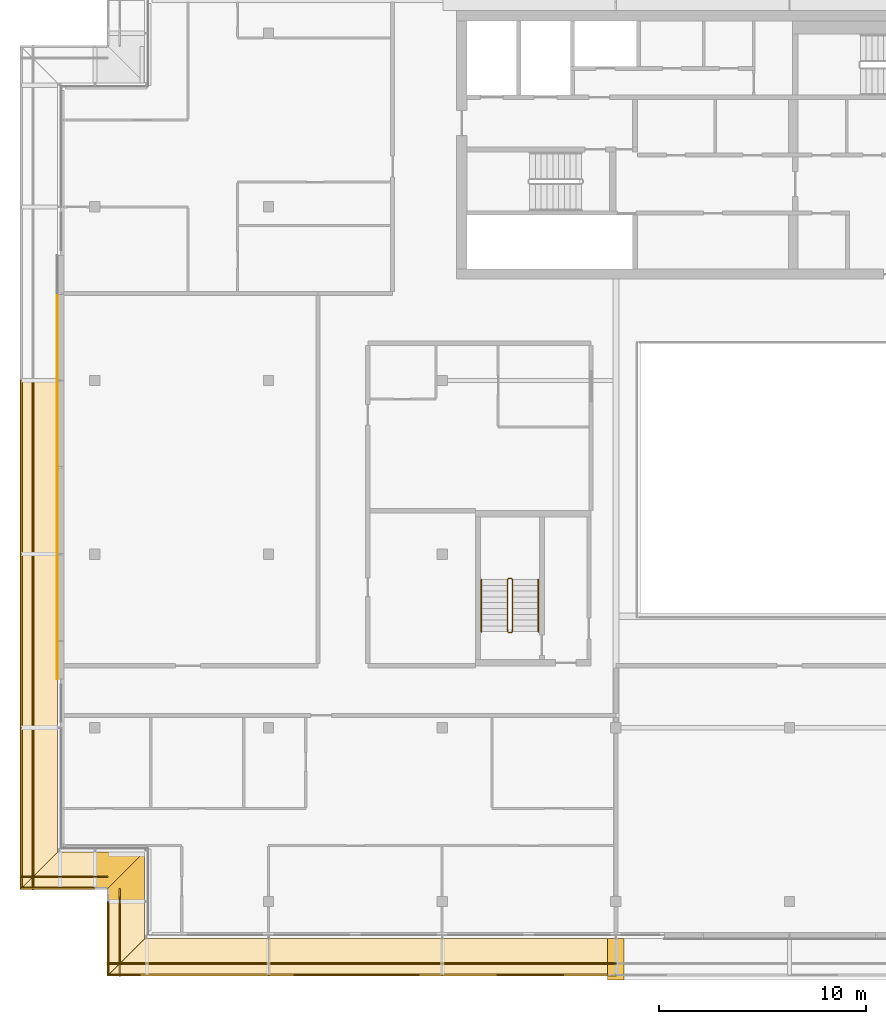
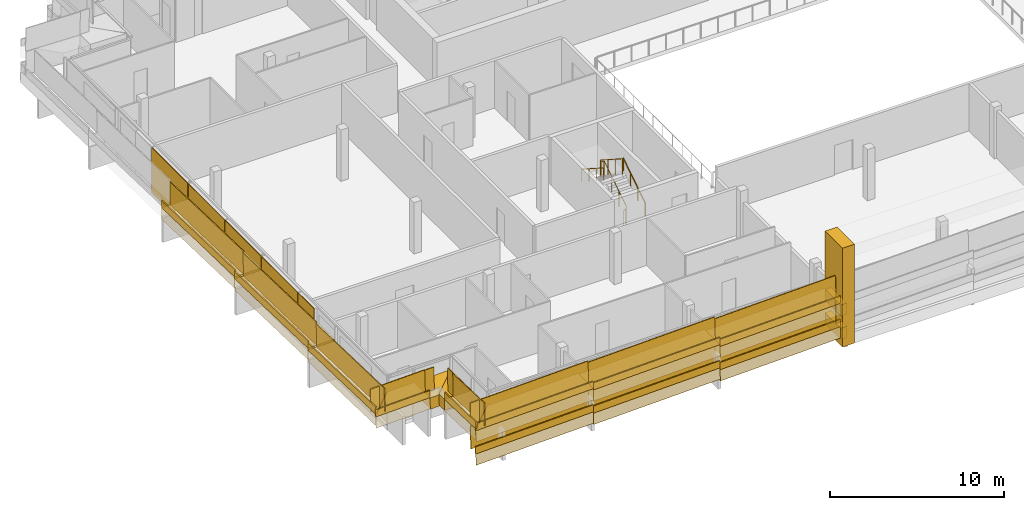
# One storey, part 25 of 33: 32 coverings, 18 railings.
"""IFC4 building model written with IfcOpenShell, lengths in metres."""

from ifc_helpers import new_model, si_unit, direction, frame, origin, origin_2d, place, context, subcontext, project, spatial, polyline, rectangle, circle, outline, extrude, material, layer, layer_set, type_object, element, save


model = new_model("IFC4")

# Units and contexts
model_context = context("Model", 3, precision=1e-05, world=origin(), true_north=direction((0.0, 1.0)))
body_context = subcontext(model_context, "Body", "Model", "MODEL_VIEW")
ifc_project = project(units=[si_unit("LENGTHUNIT", "METRE"), si_unit("AREAUNIT", "SQUARE_METRE"), si_unit("VOLUMEUNIT", "CUBIC_METRE"), si_unit("PLANEANGLEUNIT", "RADIAN"), si_unit("MASSUNIT", "GRAM", prefix="KILO")], contexts=[model_context])

# Site, building, storey
site_placement = place(None, origin())
site = spatial("IfcSite", under=ifc_project, at=site_placement, CompositionType="ELEMENT")
building_placement = place(site_placement, origin())
building = spatial("IfcBuilding", under=site, at=building_placement, Name="Saffron Gate Tower", CompositionType="ELEMENT")
storey_placement = place(building_placement, frame((0.0, 0.0, 263.550048828125)))
storey = spatial("IfcBuildingStorey", under=building, at=storey_placement, Name="L63", CompositionType="ELEMENT", Elevation=263.550048828125)

# Coverings
ifc_material_1 = material(Name="Ceramic-printed bronze insulated panel")
ifc_layer_1 = layer(ifc_material_1, 0.0400390625)
ifc_layer_set_1 = layer_set([ifc_layer_1], Name="CLDA ceramic-printed bay cladding 40")
covering_type_1 = type_object("IfcCoveringType", Name="CLDA ceramic-printed bay cladding 40", PredefinedType="CLADDING", material=ifc_layer_set_1)
covering_1_placement = place(storey_placement, origin())
element("IfcCovering", 1, at=covering_1_placement, inside=storey, type_object=covering_type_1, Name="CLADDING bay panel in front of the arch", PredefinedType="CLADDING", context=body_context, shape_type="SweptSolid", body=[
    extrude(outline(polyline([(47.9599609375, 61.169921875), (47.9599609375, 57.030029296875), (48.0, 57.030029296875), (48.0, 61.169921875), (47.9599609375, 61.169921875)])), origin(), (0.0, 0.0, 1.0), 3.199951171875),
])
covering_2_placement = place(storey_placement, origin())
element("IfcCovering", 2, at=covering_2_placement, inside=storey, type_object=covering_type_1, Name="CLADDING bay panel in front of the arch", PredefinedType="CLADDING", context=body_context, shape_type="SweptSolid", body=[
    extrude(outline(polyline([(47.9599609375, 56.969970703125), (47.9599609375, 52.830078125), (48.0, 52.830078125), (48.0, 56.969970703125), (47.9599609375, 56.969970703125)])), origin(), (0.0, 0.0, 1.0), 3.199951171875),
])
covering_3_placement = place(storey_placement, origin())
element("IfcCovering", 3, at=covering_3_placement, inside=storey, type_object=covering_type_1, Name="CLADDING bay panel in front of the arch", PredefinedType="CLADDING", context=body_context, shape_type="SweptSolid", body=[
    extrude(outline(polyline([(47.9599609375, 52.77001953125), (47.9599609375, 48.6298828125), (48.0, 48.6298828125), (48.0, 52.77001953125), (47.9599609375, 52.77001953125)])), origin(), (0.0, 0.0, 1.0), 3.199951171875),
])
covering_4_placement = place(storey_placement, origin())
element("IfcCovering", 4, at=covering_4_placement, inside=storey, type_object=covering_type_1, Name="CLADDING bay panel in front of the arch", PredefinedType="CLADDING", context=body_context, shape_type="SweptSolid", body=[
    extrude(outline(polyline([(47.9599609375, 48.570068359375), (47.9599609375, 44.429931640625), (48.0, 44.429931640625), (48.0, 48.570068359375), (47.9599609375, 48.570068359375)])), origin(), (0.0, 0.0, 1.0), 3.199951171875),
])
covering_5_placement = place(storey_placement, origin())
element("IfcCovering", 5, at=covering_5_placement, inside=storey, type_object=covering_type_1, Name="CLADDING bay panel in front of the arch", PredefinedType="CLADDING", context=body_context, shape_type="SweptSolid", body=[
    extrude(outline(polyline([(47.9599609375, 44.3701171875), (47.9599609375, 42.55078125), (48.0, 42.55078125), (48.0, 44.3701171875), (47.9599609375, 44.3701171875)])), origin(), (0.0, 0.0, 1.0), 3.199951171875),
])

# Railings
ifc_material_2 = material(Name="Stainless steel and laminated glass", Category="steel")
railing_type_1 = type_object("IfcRailingType", Name="CR1 Stair guard 1100", PredefinedType="GUARDRAIL", material=ifc_material_2)
railing_1_placement = place(storey_placement, frame((69.800048828125, 44.800048828125, 0.0)))
element("IfcRailing", 6, at=railing_1_placement, inside=storey, type_object=railing_type_1, Name="L63 ST-D stair guard 1", PredefinedType="GUARDRAIL", context=body_context, shape_type="SweptSolid", body=[
    extrude(circle(Radius=0.02392578125, at=origin_2d()), frame((0.0, 0.0, 1.076171875), z_axis=(1.0, 0.0, 0.0), x_axis=(0.0, 1.0, 0.0)), (0.0, 0.0, 1.0), 0.14990234375),
    extrude(circle(Radius=0.02392578125, at=origin_2d()), frame((0.14990234375, 0.0, 1.076171875), z_axis=(0.258847668887, 0.258847668887, 0.930588936439), x_axis=(-0.707106781187, 0.707106781187, 0.0)), (0.0, 0.0, 1.0), 0.193359375),
    extrude(circle(Radius=0.02392578125, at=origin_2d()), frame((0.199951171875, 0.050048828125, 1.255859375), z_axis=(0.0, 0.841162588446, 0.540782303519), x_axis=(-1.0, 0.0, 0.0)), (0.0, 0.0, 1.0), 2.995849609375),
    extrude(circle(Radius=0.02392578125, at=origin_2d()), frame((0.199951171875, 2.570068359375, 2.8759765625), z_axis=(-0.708833529934, 0.705375805398, 0.0), x_axis=(-0.705375805398, -0.708833529934, 0.0)), (0.0, 0.0, 1.0), 0.070556640625),
    extrude(circle(Radius=0.02392578125, at=origin_2d()), frame((0.14990234375, 2.619873046875, 2.8759765625), z_axis=(-1.0, 0.0, 0.0), x_axis=(0.0, -1.0, 0.0)), (0.0, 0.0, 1.0), 0.14990234375),
    extrude(circle(Radius=0.02392578125, at=origin_2d()), frame((0.0, 2.619873046875, 2.8759765625), z_axis=(-0.258932105505, -0.257669022063, 0.930892496375), x_axis=(0.705375805398, -0.708833529934, 0.0)), (0.0, 0.0, 1.0), 0.193359375),
    extrude(circle(Radius=0.02392578125, at=origin_2d()), frame((-0.050048828125, 2.570068359375, 3.05615234375), z_axis=(0.0, -0.841199657755, 0.540724639528), x_axis=(1.0, 0.0, 0.0)), (0.0, 0.0, 1.0), 2.995849609375),
    extrude(circle(Radius=0.02099609375, at=origin_2d()), origin(), (0.0, 0.0, 1.0), 1.052001953125),
    extrude(circle(Radius=0.02099609375, at=origin_2d()), frame((0.14990234375, 0.0, 0.0)), (0.0, 0.0, 1.0), 1.052001953125),
    extrude(circle(Radius=0.02099609375, at=origin_2d()), frame((0.199951171875, 0.050048828125, 0.179931640625)), (0.0, 0.0, 1.0), 1.052001953125),
    extrude(circle(Radius=0.02099609375, at=origin_2d()), frame((0.199951171875, 0.89013671875, 0.719970703125)), (0.0, 0.0, 1.0), 1.052001953125),
    extrude(circle(Radius=0.02099609375, at=origin_2d()), frame((0.199951171875, 1.72998046875, 1.260009765625)), (0.0, 0.0, 1.0), 1.052001953125),
    extrude(circle(Radius=0.02099609375, at=origin_2d()), frame((0.199951171875, 2.570068359375, 1.800048828125)), (0.0, 0.0, 1.0), 1.052001953125),
    extrude(circle(Radius=0.02099609375, at=origin_2d()), frame((0.14990234375, 2.619873046875, 1.800048828125)), (0.0, 0.0, 1.0), 1.052001953125),
    extrude(circle(Radius=0.02099609375, at=origin_2d()), frame((0.0, 2.619873046875, 1.800048828125)), (0.0, 0.0, 1.0), 1.052001953125),
    extrude(circle(Radius=0.02099609375, at=origin_2d()), frame((-0.050048828125, 2.570068359375, 1.97998046875)), (0.0, 0.0, 1.0), 1.052001953125),
    extrude(circle(Radius=0.02099609375, at=origin_2d()), frame((-0.050048828125, 1.72998046875, 2.52001953125)), (0.0, 0.0, 1.0), 1.052001953125),
    extrude(circle(Radius=0.02099609375, at=origin_2d()), frame((-0.050048828125, 0.89013671875, 3.059814453125)), (0.0, 0.0, 1.0), 1.052001953125),
    extrude(circle(Radius=0.02099609375, at=origin_2d()), frame((-0.050048828125, 0.050048828125, 3.599853515625)), (0.0, 0.0, 1.0), 1.052001953125),
])
ifc_material_3 = material(Name="Stainless steel", Category="steel")
railing_type_2 = type_object("IfcRailingType", Name="CR2 Stair handrail 900", PredefinedType="HANDRAIL", material=ifc_material_3)
railing_2_placement = place(storey_placement, frame((71.25, 44.85009765625, 0.179931640625)))
element("IfcRailing", 7, at=railing_2_placement, inside=storey, type_object=railing_type_2, Name="L63 ST-D stair handrail 1", PredefinedType="HANDRAIL", context=body_context, shape_type="SweptSolid", body=[
    extrude(circle(Radius=0.02392578125, at=origin_2d()), frame((0.0, 0.0, 0.8759765625), z_axis=(0.0, 0.841162588446, 0.540782303519), x_axis=(-1.0, 0.0, 0.0)), (0.0, 0.0, 1.0), 2.995849609375),
    extrude(circle(Radius=0.02099609375, at=origin_2d()), origin(), (0.0, 0.0, 1.0), 0.851806640625),
    extrude(circle(Radius=0.02099609375, at=origin_2d()), frame((0.0, 0.840087890625, 0.5400390625)), (0.0, 0.0, 1.0), 0.851806640625),
    extrude(circle(Radius=0.02099609375, at=origin_2d()), frame((0.0, 1.679931640625, 1.080078125)), (0.0, 0.0, 1.0), 0.851806640625),
    extrude(circle(Radius=0.02099609375, at=origin_2d()), frame((0.0, 2.52001953125, 1.6201171875)), (0.0, 0.0, 1.0), 0.851806640625),
])
railing_3_placement = place(storey_placement, frame((68.5, 47.3701171875, 1.97998046875)))
element("IfcRailing", 8, at=railing_3_placement, inside=storey, type_object=railing_type_2, Name="L63 ST-D stair handrail 2", PredefinedType="HANDRAIL", context=body_context, shape_type="SweptSolid", body=[
    extrude(circle(Radius=0.02392578125, at=origin_2d()), frame((0.0, 0.0, 0.8759765625), z_axis=(0.0, -0.841199657755, 0.540724639528), x_axis=(1.0, 0.0, 0.0)), (0.0, 0.0, 1.0), 2.995849609375),
    extrude(circle(Radius=0.02099609375, at=origin_2d()), origin(), (0.0, 0.0, 1.0), 0.851806640625),
    extrude(circle(Radius=0.02099609375, at=origin_2d()), frame((0.0, -0.840087890625, 0.5400390625)), (0.0, 0.0, 1.0), 0.851806640625),
    extrude(circle(Radius=0.02099609375, at=origin_2d()), frame((0.0, -1.679931640625, 1.079833984375)), (0.0, 0.0, 1.0), 0.851806640625),
    extrude(circle(Radius=0.02099609375, at=origin_2d()), frame((0.0, -2.52001953125, 1.619873046875)), (0.0, 0.0, 1.0), 0.851806640625),
])

# Coverings
ifc_layer_2 = layer(ifc_material_1, 0.800048828125)
ifc_layer_set_2 = layer_set([ifc_layer_2], Name="FN1 atrium fin")
covering_type_2 = type_object("IfcCoveringType", Name="FN1 atrium fin", PredefinedType="CLADDING", material=ifc_layer_set_2)
covering_6_placement = place(storey_placement, origin())
element("IfcCovering", 9, at=covering_6_placement, inside=storey, type_object=covering_type_2, Name="CLADDING atrium fin", PredefinedType="CLADDING", context=body_context, shape_type="SweptSolid", body=[
    extrude(outline(polyline([(74.60009765625, 30.0), (75.39990234375, 30.0), (75.39990234375, 28.0), (74.60009765625, 28.0), (74.60009765625, 30.0)])), origin(), (0.0, 0.0, 1.0), 6.919921875),
])
ifc_material_4 = material(Name="Timber, thermally modified ash", Category="wood")
ifc_layer_3 = layer(ifc_material_4, 0.800048828125)
ifc_layer_set_3 = layer_set([ifc_layer_3], Name="LD1 ledge timber")
covering_type_3 = type_object("IfcCoveringType", Name="LD1 ledge timber", PredefinedType="CLADDING", material=ifc_layer_set_3)
covering_7_placement = place(storey_placement, frame((52.199951171875, 30.0, 0.89990234375), z_axis=(-0.028789477025, 2.391759e-05, 0.999585496814), x_axis=(0.9995854971, -1.72e-10, 0.028789477033)))
element("IfcCovering", 10, at=covering_7_placement, inside=storey, type_object=covering_type_3, Name="LEDGE", PredefinedType="CLADDING", context=body_context, shape_type="SweptSolid", body=[
    extrude(outline(polyline([(0.0, 0.0), (6.002489288687248, -8.470329472543003e-22), (6.002489288996045, -1.8000488276101398), (-1.800792782710612, -1.8000488299785034), (0.0, 0.0)])), origin(), (0.0, 0.0, -1.0), 0.800048828125),
])
covering_8_placement = place(storey_placement, frame((58.199951171875, 30.0, 0.978271484375), z_axis=(-0.028790339263, 0.0, 0.999585472266), x_axis=(0.999585472266, 0.0, 0.028790339263)))
element("IfcCovering", 11, at=covering_8_placement, inside=storey, type_object=covering_type_3, Name="LEDGE", PredefinedType="CLADDING", context=body_context, shape_type="SweptSolid", body=[
    extrude(outline(polyline([(0.0, 0.0), (8.403630022085892, 0.0), (8.403630022085892, -1.800048828125), (0.0, -1.800048828125), (0.0, 0.0)])), origin(), (0.0, 0.0, -1.0), 0.800048828125),
])
covering_9_placement = place(storey_placement, frame((66.60009765625, 30.0, 1.087890625), z_axis=(-0.028796646555, 0.0, 0.999585290582), x_axis=(0.999585290582, 0.0, 0.028796646555)))
element("IfcCovering", 12, at=covering_9_placement, inside=storey, type_object=covering_type_3, Name="LEDGE", PredefinedType="CLADDING", context=body_context, shape_type="SweptSolid", body=[
    extrude(outline(polyline([(0.0, 0.0), (8.003319051788862, 0.0), (8.003319051788862, -1.800048828125), (0.0, -1.800048828125), (0.0, 0.0)])), origin(), (0.0, 0.0, -1.0), 0.800048828125),
])
covering_10_placement = place(storey_placement, frame((74.60009765625, 30.0, 1.1923828125), z_axis=(-0.028681724025, 0.0, 0.999588594726), x_axis=(0.999588594726, 0.0, 0.028681724025)))
element("IfcCovering", 13, at=covering_10_placement, inside=storey, type_object=covering_type_3, Name="LEDGE", PredefinedType="CLADDING", context=body_context, shape_type="SweptSolid", body=[
    extrude(outline(polyline([(0.0, 0.0), (0.40006693339621563, 0.0), (0.40006693339621563, -1.8000488281250004), (0.0, -1.8000488281250004), (0.0, 0.0)])), origin(), (0.0, 0.0, -1.0), 0.800048828125),
])
covering_11_placement = place(storey_placement, frame((48.0, 57.0, 2.121826171875), z_axis=(0.0, 0.028791175352, 0.999585448184), x_axis=(0.0, -0.999585448184, 0.028791175352)))
element("IfcCovering", 14, at=covering_11_placement, inside=storey, type_object=covering_type_3, Name="LEDGE", PredefinedType="CLADDING", context=body_context, shape_type="SweptSolid", body=[
    extrude(outline(polyline([(0.0, 0.0), (8.403385982666892, 0.0), (8.403385982666892, -1.800048828125), (0.0, -1.800048828125), (0.0, 0.0)])), origin(), (0.0, 0.0, -1.0), 0.800048828125),
])
covering_12_placement = place(storey_placement, frame((48.0, 48.60009765625, 2.2314453125), z_axis=(0.0, 0.028790339263, 0.999585472266), x_axis=(0.0, -0.999585472266, 0.028790339263)))
element("IfcCovering", 15, at=covering_12_placement, inside=storey, type_object=covering_type_3, Name="LEDGE", PredefinedType="CLADDING", context=body_context, shape_type="SweptSolid", body=[
    extrude(outline(polyline([(0.0, 0.0), (8.403630022085892, 0.0), (8.403630022085892, -1.800048828125), (0.0, -1.800048828125), (0.0, 0.0)])), origin(), (0.0, 0.0, -1.0), 0.800048828125),
])
covering_13_placement = place(storey_placement, frame((48.0, 40.199951171875, 2.341064453125), z_axis=(-2.391759e-05, 0.028789477025, 0.999585496814), x_axis=(1.72e-10, -0.9995854971, 0.028789477033)))
element("IfcCovering", 16, at=covering_13_placement, inside=storey, type_object=covering_type_3, Name="LEDGE", PredefinedType="CLADDING", context=body_context, shape_type="SweptSolid", body=[
    extrude(outline(polyline([(0.0, 0.0), (6.002489288687248, 8.470329472543003e-22), (7.80328207139786, -1.8000488299785034), (-3.0879623774719253e-10, -1.8000488276101398), (0.0, 0.0)])), origin(), (0.0, 0.0, -1.0), 0.800048828125),
])
covering_14_placement = place(storey_placement, frame((48.0, 34.199951171875, 2.41943359375), z_axis=(-0.028786835276, -4.5191264e-05, 0.999585572161), x_axis=(0.999585573182, -2.041e-09, 0.028786835305)))
element("IfcCovering", 17, at=covering_14_placement, inside=storey, type_object=covering_type_3, Name="LEDGE", PredefinedType="CLADDING", context=body_context, shape_type="SweptSolid", body=[
    extrude(outline(polyline([(0.0, 0.0), (1.8007927832406818, 0.0), (1.8007927869153135, -1.800048826286925), (-1.8007998076020133, -1.8000488373153904), (0.0, 0.0)])), origin(), (0.0, 0.0, -1.0), 0.800048828125),
])
covering_15_placement = place(storey_placement, frame((49.800048828125, 34.199951171875, 2.44287109375), z_axis=(-0.028798988267, 2.8677152e-05, 0.999585222706), x_axis=(0.999585223117, 6.17e-10, 0.028798988279)))
element("IfcCovering", 18, at=covering_15_placement, inside=storey, type_object=covering_type_3, Name="LEDGE", PredefinedType="CLADDING", context=body_context, shape_type="SweptSolid", body=[
    extrude(outline(polyline([(0.0, 0.0), (2.400896693585025, 4.235164736271502e-22), (0.6001039103565923, -1.8000488292351675), (-1.1098572600196767e-09, -1.8000488273848385), (0.0, 0.0)])), origin(), (0.0, 0.0, -1.0), 0.800048828125),
])
covering_16_placement = place(storey_placement, frame((52.199951171875, 34.199951171875, 2.47412109375), z_axis=(-2.8677152e-05, 0.028798988267, 0.999585222706), x_axis=(-6.17e-10, -0.999585223117, 0.028798988279)))
element("IfcCovering", 19, at=covering_16_placement, inside=storey, type_object=covering_type_3, Name="LEDGE", PredefinedType="CLADDING", context=body_context, shape_type="SweptSolid", body=[
    extrude(outline(polyline([(0.0, 0.0), (2.400896693585025, -4.235164736271502e-22), (2.400896694694882, -1.8000488273848385), (1.8007927832284332, -1.8000488292351673), (0.0, 0.0)])), origin(), (0.0, 0.0, -1.0), 0.800048828125),
])
covering_17_placement = place(storey_placement, frame((52.199951171875, 31.800048828125, 2.50537109375), z_axis=(-4.5191205e-05, 0.028831989003, 0.999584270769), x_axis=(2.041e-09, -0.999584271789, 0.028831989032)))
element("IfcCovering", 20, at=covering_17_placement, inside=storey, type_object=covering_type_3, Name="LEDGE", PredefinedType="CLADDING", context=body_context, shape_type="SweptSolid", body=[
    extrude(outline(polyline([(0.0, 0.0), (1.8007998167885757, 0.0), (3.6015925908427215, -1.800048837315338), (-3.6746077267916745e-09, -1.80004882628693), (0.0, 0.0)])), origin(), (0.0, 0.0, -1.0), 0.800048828125),
])
covering_18_placement = place(storey_placement, frame((52.199951171875, 30.0, 2.529052734375), z_axis=(-0.028807146299, -3.5027307e-05, 0.99958498743), x_axis=(0.999584988043, -3.68e-10, 0.028807146316)))
element("IfcCovering", 21, at=covering_18_placement, inside=storey, type_object=covering_type_3, Name="LEDGE", PredefinedType="CLADDING", context=body_context, shape_type="SweptSolid", body=[
    extrude(outline(polyline([(0.0, 0.0), (6.0024892885105, 2.541098841762901e-21), (6.002489289172793, -1.8000488270207489), (-1.800799813548424, -1.8000488321003227), (0.0, 0.0)])), origin(), (0.0, 0.0, -1.0), 0.800048828125),
])
covering_19_placement = place(storey_placement, frame((58.199951171875, 30.0, 2.607177734375), z_axis=(-0.028819366951, 0.0, 0.999584635781), x_axis=(0.999584635781, 0.0, 0.028819366951)))
element("IfcCovering", 22, at=covering_19_placement, inside=storey, type_object=covering_type_3, Name="LEDGE", PredefinedType="CLADDING", context=body_context, shape_type="SweptSolid", body=[
    extrude(outline(polyline([(0.0, 0.0), (8.403637054520734, 0.0), (8.403637054520734, -1.800048828125), (0.0, -1.800048828125), (0.0, 0.0)])), origin(), (0.0, 0.0, -1.0), 0.800048828125),
])
covering_20_placement = place(storey_placement, frame((66.60009765625, 30.0, 2.717041015625), z_axis=(-0.028766166889, 0.0, 0.999586168193), x_axis=(0.999586168193, 0.0, 0.028766166889)))
element("IfcCovering", 23, at=covering_20_placement, inside=storey, type_object=covering_type_3, Name="LEDGE", PredefinedType="CLADDING", context=body_context, shape_type="SweptSolid", body=[
    extrude(outline(polyline([(0.0, 0.0), (8.003312025078236, 0.0), (8.003312025078236, -1.800048828125), (0.0, -1.800048828125), (0.0, 0.0)])), origin(), (0.0, 0.0, -1.0), 0.800048828125),
])
covering_21_placement = place(storey_placement, frame((74.60009765625, 30.0, 2.8212890625), z_axis=(-0.028681724025, 0.0, 0.999588594726), x_axis=(0.999588594726, 0.0, 0.028681724025)))
element("IfcCovering", 24, at=covering_21_placement, inside=storey, type_object=covering_type_3, Name="LEDGE", PredefinedType="CLADDING", context=body_context, shape_type="SweptSolid", body=[
    extrude(outline(polyline([(0.0, 0.0), (0.40006693339621563, 0.0), (0.40006693339621563, -1.8000488281250004), (0.0, -1.8000488281250004), (0.0, 0.0)])), origin(), (0.0, 0.0, -1.0), 0.800048828125),
])
ifc_layer_4 = layer(ifc_material_4, 0.080078125)
ifc_layer_set_4 = layer_set([ifc_layer_4], Name="LD2 ledge planter trough")
covering_type_4 = type_object("IfcCoveringType", Name="LD2 ledge planter trough", PredefinedType="CLADDING", material=ifc_layer_set_4)
covering_22_placement = place(storey_placement, frame((50.39990234375, 28.199951171875, 0.84814453125), z_axis=(0.0, -1.0, 0.0), x_axis=(0.999585655924, 0.0, 0.028783962047)))
element("IfcCovering", 25, at=covering_22_placement, inside=storey, type_object=covering_type_4, Name="LEDGE planter trough", PredefinedType="CLADDING", context=body_context, shape_type="SweptSolid", body=[
    extrude(outline(polyline([(0.0, 0.0), (7.803282071825423, 2.7755575615628914e-17), (7.817674052849086, 0.4997928279619612), (0.014391981023662846, 0.4997928279619612), (0.0, 0.0)])), origin(), (0.0, 0.0, -1.0), 0.080078125),
])
covering_23_placement = place(storey_placement, frame((58.199951171875, 28.199951171875, 0.978271484375), z_axis=(0.0, -1.0, 0.0), x_axis=(0.999585472266, 0.0, 0.028790339263)))
element("IfcCovering", 26, at=covering_23_placement, inside=storey, type_object=covering_type_4, Name="LEDGE planter trough", PredefinedType="CLADDING", context=body_context, shape_type="SweptSolid", body=[
    extrude(outline(polyline([(0.0, 0.0), (8.403630022085892, 0.0), (8.418025191717298, 0.4997927361329725), (0.014395169631405694, 0.4997927361329725), (0.0, 0.0)])), origin(), (0.0, 0.0, -1.0), 0.080078125),
])
covering_24_placement = place(storey_placement, frame((66.60009765625, 28.199951171875, 1.087890625), z_axis=(0.0, -1.0, 0.0), x_axis=(0.999585290582, 0.0, 0.028796646555)))
element("IfcCovering", 27, at=covering_24_placement, inside=storey, type_object=covering_type_4, Name="LEDGE planter trough", PredefinedType="CLADDING", context=body_context, shape_type="SweptSolid", body=[
    extrude(outline(polyline([(0.0, 0.0), (8.003319051788862, 0.0), (8.017717375066283, 0.4997926452908234), (0.014398323277421184, 0.49979264529082346), (0.0, 0.0)])), origin(), (0.0, 0.0, -1.0), 0.080078125),
])
covering_25_placement = place(storey_placement, frame((46.199951171875, 57.0, 2.121826171875), z_axis=(-1.0, 0.0, 0.0), x_axis=(0.0, -0.999585448184, 0.028791175352)))
element("IfcCovering", 28, at=covering_25_placement, inside=storey, type_object=covering_type_4, Name="LEDGE planter trough", PredefinedType="CLADDING", context=body_context, shape_type="SweptSolid", body=[
    extrude(outline(polyline([(0.0, 0.0), (8.403385982666892, 0.0), (8.417781570342743, 0.49979272409216496), (0.014395587675851172, 0.4997927240921649), (0.0, 0.0)])), origin(), (0.0, 0.0, -1.0), 0.080078125),
])
covering_26_placement = place(storey_placement, frame((46.199951171875, 48.60009765625, 2.2314453125), z_axis=(-1.0, 0.0, 0.0), x_axis=(0.0, -0.999585472266, 0.028790339263)))
element("IfcCovering", 29, at=covering_26_placement, inside=storey, type_object=covering_type_4, Name="LEDGE planter trough", PredefinedType="CLADDING", context=body_context, shape_type="SweptSolid", body=[
    extrude(outline(polyline([(0.0, 0.0), (8.403630022085892, 0.0), (8.418025191717298, 0.4997927361329725), (0.014395169631405694, 0.4997927361329725), (0.0, 0.0)])), origin(), (0.0, 0.0, -1.0), 0.080078125),
])
covering_27_placement = place(storey_placement, frame((46.199951171875, 40.199951171875, 2.341064453125), z_axis=(-1.0, 0.0, 0.0), x_axis=(0.0, -0.999585655924, 0.028783962047)))
element("IfcCovering", 30, at=covering_27_placement, inside=storey, type_object=covering_type_4, Name="LEDGE planter trough", PredefinedType="CLADDING", context=body_context, shape_type="SweptSolid", body=[
    extrude(outline(polyline([(0.0, 0.0), (7.803282071825423, 2.7755575615628914e-17), (7.817674052849086, 0.4997928279619612), (0.014391981023662846, 0.4997928279619612), (0.0, 0.0)])), origin(), (0.0, 0.0, -1.0), 0.080078125),
])
for number, where, z_axis, x_axis, name in (
    (31, (46.199951171875, 32.39990234375, 2.367431640625), (0.0, -1.0, 0.0), (0.99958492274, 0.0, 0.028809412191), "LEDGE planter trough"),
    (32, (50.39990234375, 31.800048828125, 2.50537109375), (-1.0, 0.0, 0.0), (0.0, -0.99958492274, 0.028809412191), "LEDGE planter trough"),
):
    element("IfcCovering", number, at=place(storey_placement, frame(where, z_axis=z_axis, x_axis=x_axis)), inside=storey, type_object=covering_type_4, Name=name, PredefinedType="CLADDING", context=body_context, shape_type="SweptSolid", body=[
        extrude(outline(polyline([(0.0, 0.0), (3.601592595435983, 0.0), (3.6159973015313485, 0.4997924613700232), (0.014404706095365512, 0.4997924613700232), (0.0, 0.0)])), origin(), (0.0, 0.0, -1.0), 0.080078125),
    ])
covering_28_placement = place(storey_placement, frame((50.39990234375, 28.199951171875, 2.47705078125), z_axis=(0.0, -1.0, 0.0), x_axis=(0.999584755248, 0.0, 0.028815222999)))
element("IfcCovering", 33, at=covering_28_placement, inside=storey, type_object=covering_type_4, Name="LEDGE planter trough", PredefinedType="CLADDING", context=body_context, shape_type="SweptSolid", body=[
    extrude(outline(polyline([(0.0, 0.0), (7.803289102975944, 0.0), (7.8176967144752565, 0.4997923776238338), (0.014407611499312996, 0.4997923776238338), (0.0, 0.0)])), origin(), (0.0, 0.0, -1.0), 0.080078125),
])
covering_29_placement = place(storey_placement, frame((58.199951171875, 28.199951171875, 2.607177734375), z_axis=(0.0, -1.0, 0.0), x_axis=(0.999584635781, 0.0, 0.028819366951)))
element("IfcCovering", 34, at=covering_29_placement, inside=storey, type_object=covering_type_4, Name="LEDGE planter trough", PredefinedType="CLADDING", context=body_context, shape_type="SweptSolid", body=[
    extrude(outline(polyline([(0.0, 0.0), (8.403637054520734, 2.7755575615628914e-17), (8.418046737996397, 0.49979231789027256), (0.014409683475663392, 0.4997923178902725), (0.0, 0.0)])), origin(), (0.0, 0.0, -1.0), 0.080078125),
])
covering_30_placement = place(storey_placement, frame((66.60009765625, 28.199951171875, 2.717041015625), z_axis=(0.0, -1.0, 0.0), x_axis=(0.999586168193, 0.0, 0.028766166889)))
element("IfcCovering", 35, at=covering_30_placement, inside=storey, type_object=covering_type_4, Name="LEDGE planter trough", PredefinedType="CLADDING", context=body_context, shape_type="SweptSolid", body=[
    extrude(outline(polyline([(0.0, 0.0), (8.003312025078236, 0.0), (8.017695108522538, 0.4997930840964431), (0.014383083444303767, 0.4997930840964431), (0.0, 0.0)])), origin(), (0.0, 0.0, -1.0), 0.080078125),
])

# Railings
railing_type_3 = type_object("IfcRailingType", Name="LG1 ledge balustrade", PredefinedType="BALUSTRADE", material=ifc_material_4)
railing_4_placement = place(storey_placement, frame((50.39990234375, 28.800048828125, 0.84814453125)))
element("IfcRailing", 36, at=railing_4_placement, inside=storey, type_object=railing_type_3, Name="LEDGE BALUSTRADE", PredefinedType="BALUSTRADE", context=body_context, shape_type="SweptSolid", body=[
    extrude(rectangle(XDim=0.06005859375, YDim=1.60009765625, at=origin_2d()), frame((0.0, 0.0, 0.800048828125), z_axis=(0.999585655924, 0.0, 0.028783962047), x_axis=(0.0, 1.0, 0.0)), (0.0, 0.0, 1.0), 7.80322265625),
])
railing_5_placement = place(storey_placement, frame((58.199951171875, 28.800048828125, 0.978271484375)))
element("IfcRailing", 37, at=railing_5_placement, inside=storey, type_object=railing_type_3, Name="LEDGE BALUSTRADE", PredefinedType="BALUSTRADE", context=body_context, shape_type="SweptSolid", body=[
    extrude(rectangle(XDim=0.06005859375, YDim=1.60009765625, at=origin_2d()), frame((0.0, 0.0, 0.800048828125), z_axis=(0.999585472266, 0.0, 0.028790339263), x_axis=(0.0, 1.0, 0.0)), (0.0, 0.0, 1.0), 8.403564453125),
])
railing_6_placement = place(storey_placement, frame((66.60009765625, 28.800048828125, 1.087890625)))
element("IfcRailing", 38, at=railing_6_placement, inside=storey, type_object=railing_type_3, Name="LEDGE BALUSTRADE", PredefinedType="BALUSTRADE", context=body_context, shape_type="SweptSolid", body=[
    extrude(rectangle(XDim=0.06005859375, YDim=1.60009765625, at=origin_2d()), frame((0.0, 0.0, 0.800048828125), z_axis=(0.999585290582, 0.0, 0.028796646555), x_axis=(0.0, 1.0, 0.0)), (0.0, 0.0, 1.0), 8.00341796875),
])
railing_7_placement = place(storey_placement, frame((74.60009765625, 28.800048828125, 1.1923828125)))
element("IfcRailing", 39, at=railing_7_placement, inside=storey, type_object=railing_type_3, Name="LEDGE BALUSTRADE", PredefinedType="BALUSTRADE", context=body_context, shape_type="SweptSolid", body=[
    extrude(rectangle(XDim=0.06005859375, YDim=1.60009765625, at=origin_2d()), frame((0.0, 0.0, 0.800048828125), z_axis=(0.999588594726, 0.0, 0.028681724025), x_axis=(0.0, 1.0, 0.0)), (0.0, 0.0, 1.0), 0.400146484375),
])
railing_8_placement = place(storey_placement, frame((46.800048828125, 57.0, 2.121826171875)))
element("IfcRailing", 40, at=railing_8_placement, inside=storey, type_object=railing_type_3, Name="LEDGE BALUSTRADE", PredefinedType="BALUSTRADE", context=body_context, shape_type="SweptSolid", body=[
    extrude(rectangle(XDim=0.06005859375, YDim=1.60009765625, at=origin_2d()), frame((0.0, 0.0, 0.800048828125), z_axis=(0.0, -0.999585448184, 0.028791175352), x_axis=(1.0, 0.0, 0.0)), (0.0, 0.0, 1.0), 8.4033203125),
])
railing_9_placement = place(storey_placement, frame((46.800048828125, 48.60009765625, 2.2314453125)))
element("IfcRailing", 41, at=railing_9_placement, inside=storey, type_object=railing_type_3, Name="LEDGE BALUSTRADE", PredefinedType="BALUSTRADE", context=body_context, shape_type="SweptSolid", body=[
    extrude(rectangle(XDim=0.06005859375, YDim=1.60009765625, at=origin_2d()), frame((0.0, 0.0, 0.800048828125), z_axis=(0.0, -0.999585472266, 0.028790339263), x_axis=(1.0, 0.0, 0.0)), (0.0, 0.0, 1.0), 8.403564453125),
])
railing_10_placement = place(storey_placement, frame((46.800048828125, 40.199951171875, 2.341064453125)))
element("IfcRailing", 42, at=railing_10_placement, inside=storey, type_object=railing_type_3, Name="LEDGE BALUSTRADE", PredefinedType="BALUSTRADE", context=body_context, shape_type="SweptSolid", body=[
    extrude(rectangle(XDim=0.06005859375, YDim=1.60009765625, at=origin_2d()), frame((0.0, 0.0, 0.800048828125), z_axis=(0.0, -0.999585655924, 0.028783962047), x_axis=(1.0, 0.0, 0.0)), (0.0, 0.0, 1.0), 7.80322265625),
])
railing_11_placement = place(storey_placement, frame((46.199951171875, 33.0, 2.367431640625)))
element("IfcRailing", 43, at=railing_11_placement, inside=storey, type_object=railing_type_3, Name="LEDGE BALUSTRADE", PredefinedType="BALUSTRADE", context=body_context, shape_type="SweptSolid", body=[
    extrude(rectangle(XDim=0.06005859375, YDim=1.60009765625, at=origin_2d()), frame((0.0, 0.0, 0.800048828125), z_axis=(0.99958492274, 0.0, 0.028809412191), x_axis=(0.0, 1.0, 0.0)), (0.0, 0.0, 1.0), 3.6015625),
])
railing_12_placement = place(storey_placement, frame((49.800048828125, 33.0, 2.44287109375)))
element("IfcRailing", 44, at=railing_12_placement, inside=storey, type_object=railing_type_3, Name="LEDGE BALUSTRADE", PredefinedType="BALUSTRADE", context=body_context, shape_type="SweptSolid", body=[
    extrude(rectangle(XDim=0.06005859375, YDim=1.60009765625, at=origin_2d()), frame((0.0, 0.0, 0.800048828125), z_axis=(0.999582742162, 0.0, 0.028884971385), x_axis=(0.0, 1.0, 0.0)), (0.0, 0.0, 1.0), 0.60009765625),
])
railing_13_placement = place(storey_placement, frame((51.0, 32.39990234375, 2.52587890625)))
element("IfcRailing", 45, at=railing_13_placement, inside=storey, type_object=railing_type_3, Name="LEDGE BALUSTRADE", PredefinedType="BALUSTRADE", context=body_context, shape_type="SweptSolid", body=[
    extrude(rectangle(XDim=0.06005859375, YDim=1.60009765625, at=origin_2d()), frame((0.0, 0.0, 0.800048828125), z_axis=(0.0, -0.999582742162, 0.028884971385), x_axis=(1.0, 0.0, 0.0)), (0.0, 0.0, 1.0), 0.60009765625),
])
railing_14_placement = place(storey_placement, frame((51.0, 31.800048828125, 2.50537109375)))
element("IfcRailing", 46, at=railing_14_placement, inside=storey, type_object=railing_type_3, Name="LEDGE BALUSTRADE", PredefinedType="BALUSTRADE", context=body_context, shape_type="SweptSolid", body=[
    extrude(rectangle(XDim=0.06005859375, YDim=1.60009765625, at=origin_2d()), frame((0.0, 0.0, 0.800048828125), z_axis=(0.0, -0.99958492274, 0.028809412191), x_axis=(1.0, 0.0, 0.0)), (0.0, 0.0, 1.0), 3.6015625),
])
railing_15_placement = place(storey_placement, frame((50.39990234375, 28.800048828125, 2.47705078125)))
element("IfcRailing", 47, at=railing_15_placement, inside=storey, type_object=railing_type_3, Name="LEDGE BALUSTRADE", PredefinedType="BALUSTRADE", context=body_context, shape_type="SweptSolid", body=[
    extrude(rectangle(XDim=0.06005859375, YDim=1.60009765625, at=origin_2d()), frame((0.0, 0.0, 0.800048828125), z_axis=(0.999584755248, 0.0, 0.028815222999), x_axis=(0.0, 1.0, 0.0)), (0.0, 0.0, 1.0), 7.80322265625),
])
railing_16_placement = place(storey_placement, frame((58.199951171875, 28.800048828125, 2.607177734375)))
element("IfcRailing", 48, at=railing_16_placement, inside=storey, type_object=railing_type_3, Name="LEDGE BALUSTRADE", PredefinedType="BALUSTRADE", context=body_context, shape_type="SweptSolid", body=[
    extrude(rectangle(XDim=0.06005859375, YDim=1.60009765625, at=origin_2d()), frame((0.0, 0.0, 0.800048828125), z_axis=(0.999584635781, 0.0, 0.028819366951), x_axis=(0.0, 1.0, 0.0)), (0.0, 0.0, 1.0), 8.403564453125),
])
railing_17_placement = place(storey_placement, frame((66.60009765625, 28.800048828125, 2.717041015625)))
element("IfcRailing", 49, at=railing_17_placement, inside=storey, type_object=railing_type_3, Name="LEDGE BALUSTRADE", PredefinedType="BALUSTRADE", context=body_context, shape_type="SweptSolid", body=[
    extrude(rectangle(XDim=0.06005859375, YDim=1.60009765625, at=origin_2d()), frame((0.0, 0.0, 0.800048828125), z_axis=(0.999586168193, 0.0, 0.028766166889), x_axis=(0.0, 1.0, 0.0)), (0.0, 0.0, 1.0), 8.00341796875),
])
railing_18_placement = place(storey_placement, frame((74.60009765625, 28.800048828125, 2.8212890625)))
element("IfcRailing", 50, at=railing_18_placement, inside=storey, type_object=railing_type_3, Name="LEDGE BALUSTRADE", PredefinedType="BALUSTRADE", context=body_context, shape_type="SweptSolid", body=[
    extrude(rectangle(XDim=0.06005859375, YDim=1.60009765625, at=origin_2d()), frame((0.0, 0.0, 0.800048828125), z_axis=(0.999588594726, 0.0, 0.028681724025), x_axis=(0.0, 1.0, 0.0)), (0.0, 0.0, 1.0), 0.400146484375),
])

save(model, "model.ifc")
